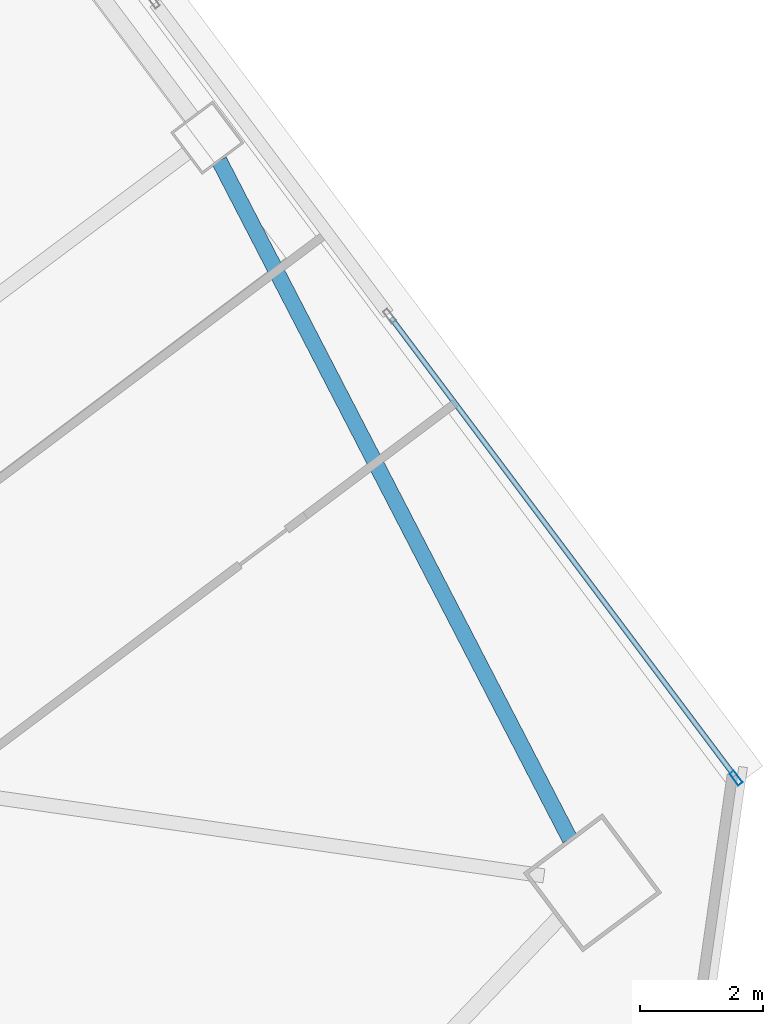
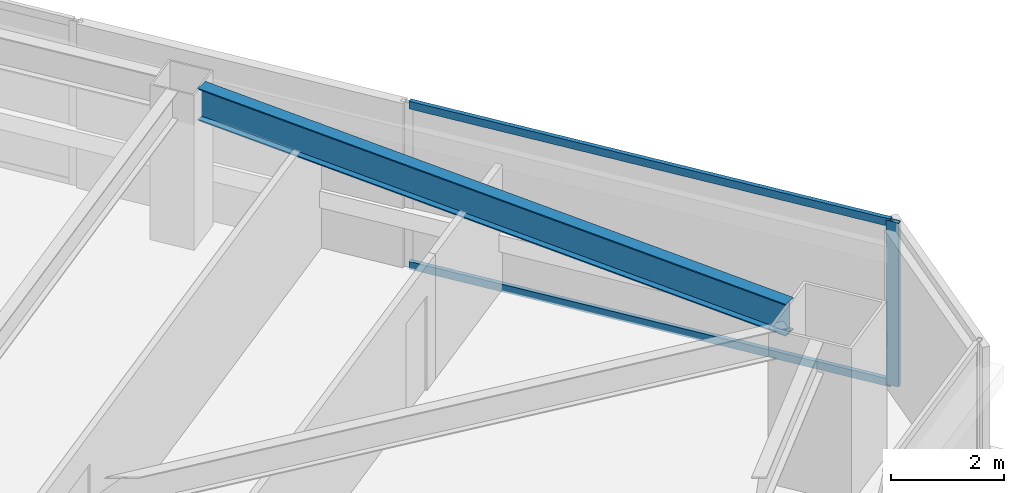
# One storey, part 24 of 45: 3 members, 1 beam, 1 element without a shape of its own.
"""IFC4 building model written with IfcOpenShell, lengths in metres."""

from ifc_helpers import new_model, si_unit, direction, frame, origin, origin_2d, place, context, subcontext, project, spatial, hollow_rectangle, i_section, extrude, material, material_profile, profile_set, type_object, element, aggregate, save


model = new_model("IFC4")

# Units and contexts
model_context = context("Model", 3, precision=1e-05, world=origin(), true_north=direction((0.0, 1.0)))
body_context = subcontext(model_context, "Body", "Model", "MODEL_VIEW")
ifc_project = project(units=[si_unit("LENGTHUNIT", "METRE"), si_unit("AREAUNIT", "SQUARE_METRE"), si_unit("VOLUMEUNIT", "CUBIC_METRE"), si_unit("PLANEANGLEUNIT", "RADIAN"), si_unit("MASSUNIT", "GRAM", prefix="KILO")], contexts=[model_context])

# Site, building, storey
site_placement = place(None, origin())
site = spatial("IfcSite", under=ifc_project, at=site_placement, CompositionType="ELEMENT")
building_placement = place(site_placement, origin())
building = spatial("IfcBuilding", under=site, at=building_placement, Name="Tashvorn Skyway Center", CompositionType="ELEMENT")
storey_placement = place(building_placement, frame((0.0, 0.0, 35.25)))
storey = spatial("IfcBuildingStorey", under=building, at=storey_placement, Name="L08", CompositionType="ELEMENT", Elevation=35.25)

# Beam
ifc_material_1 = material(Name="Steel ASTM A992 Grade 50", Category="steel")
ifc_material_profile_1 = material_profile(ifc_material_1, i_section(OverallWidth=0.256103515625, OverallDepth=0.693115234375, WebThickness=0.014404296875, FlangeThickness=0.023681640625, at=origin_2d()), Name="W27X114")
ifc_profile_set_1 = profile_set([ifc_material_profile_1], Name="Steel ASTM A992 Grade 50")
beam_type = type_object("IfcBeamType", Name="BM-SPANDREL-W27X114", PredefinedType="SPANDREL", material=ifc_profile_set_1)
beam_placement = place(storey_placement, frame((139.954833984375, 28.9462890625, 3.00341796875), z_axis=(-0.459233413919, 0.888315637339, 0.0), x_axis=(-0.888315637339, -0.459233413919, 0.0)))
element("IfcBeam", 1, at=beam_placement, inside=storey, type_object=beam_type, Name="Tower 2 L08 Spandrel Beam 04", PredefinedType="SPANDREL", context=body_context, shape_type="SweptSolid", body=[
    extrude(i_section(OverallWidth=0.256103515625, OverallDepth=0.693115234375, WebThickness=0.014404296875, FlangeThickness=0.023681640625, at=origin_2d()), origin(), (0.0, 0.0, 1.0), 12.37255859375),
])

# Curtain wall, members
ifc_material_2 = material(Name="Thermally broken bronze-anodized aluminium 6063-T6", Category="aluminium")
curtain_wall_type = type_object("IfcCurtainWallType", Name="CW-CW-Z1", PredefinedType="NOTDEFINED", material=ifc_material_2)
curtain_wall_placement = place(storey_placement, origin())
curtain_wall = element("IfcCurtainWall", 2, at=curtain_wall_placement, inside=storey, type_object=curtain_wall_type, Name="Tower 2 L08 East Unitised Curtain Wall Glazing Group 3", PredefinedType="NOTDEFINED")
ifc_material_profile_2 = material_profile(ifc_material_2, hollow_rectangle(XDim=0.0849609375, YDim=0.239990234375, WallThickness=0.0048828125, at=origin_2d()), Name="ALU-MULL-85x240")
ifc_profile_set_2 = profile_set([ifc_material_profile_2], Name="Thermally broken bronze-anodized aluminium 6063-T6")
member_type_1 = type_object("IfcMemberType", Name="CWM-CW-Z1", PredefinedType="MULLION", material=ifc_profile_set_2)
member_1_placement = place(storey_placement, frame((142.646484375, 29.93798828125, 0.0), z_axis=(0.0, 0.0, 1.0), x_axis=(0.799999999998, 0.600000000002, 0.0)))
member_1 = element("IfcMember", 3, at=member_1_placement, type_object=member_type_1, Name="CW-Z1 mullion 2", PredefinedType="MULLION", context=body_context, shape_type="SweptSolid", body=[
    extrude(hollow_rectangle(XDim=0.0849609375, YDim=0.239990234375, WallThickness=0.0048828125, at=origin_2d()), origin(), (0.0, 0.0, 1.0), 3.550048828125),
])
ifc_material_profile_3 = material_profile(ifc_material_2, hollow_rectangle(XDim=0.0849609375, YDim=0.1650390625, WallThickness=0.0048828125, at=origin_2d()), Name="ALU-TRAN-85x165")
ifc_profile_set_3 = profile_set([ifc_material_profile_3], Name="Thermally broken bronze-anodized aluminium 6063-T6")
member_type_2 = type_object("IfcMemberType", Name="CWT-CW-Z1", PredefinedType="USERDEFINED", material=ifc_profile_set_3)
member_2_placement = place(storey_placement, frame((137.05908203125, 37.387939453125, 0.04248046875), z_axis=(0.6, -0.8, 0.0), x_axis=(0.8, 0.6, 0.0)))
member_2 = element("IfcMember", 4, at=member_2_placement, type_object=member_type_2, Name="CW-Z1 transom 1.1", ObjectType="TRANSOM", PredefinedType="USERDEFINED", context=body_context, shape_type="SweptSolid", body=[
    extrude(hollow_rectangle(XDim=0.0849609375, YDim=0.1650390625, WallThickness=0.0048828125, at=origin_2d()), origin(), (0.0, 0.0, 1.0), 9.27001953125),
])
member_3_placement = place(storey_placement, frame((137.05908203125, 37.387939453125, 3.507568359375), z_axis=(0.6, -0.8, 0.0), x_axis=(0.8, 0.6, 0.0)))
member_3 = element("IfcMember", 5, at=member_3_placement, type_object=member_type_2, Name="CW-Z1 transom 1.2", ObjectType="TRANSOM", PredefinedType="USERDEFINED", context=body_context, shape_type="SweptSolid", body=[
    extrude(hollow_rectangle(XDim=0.0849609375, YDim=0.1650390625, WallThickness=0.0048828125, at=origin_2d()), origin(), (0.0, 0.0, 1.0), 9.27001953125),
])
aggregate(curtain_wall, [member_1, member_2, member_3])

save(model, "model.ifc")
